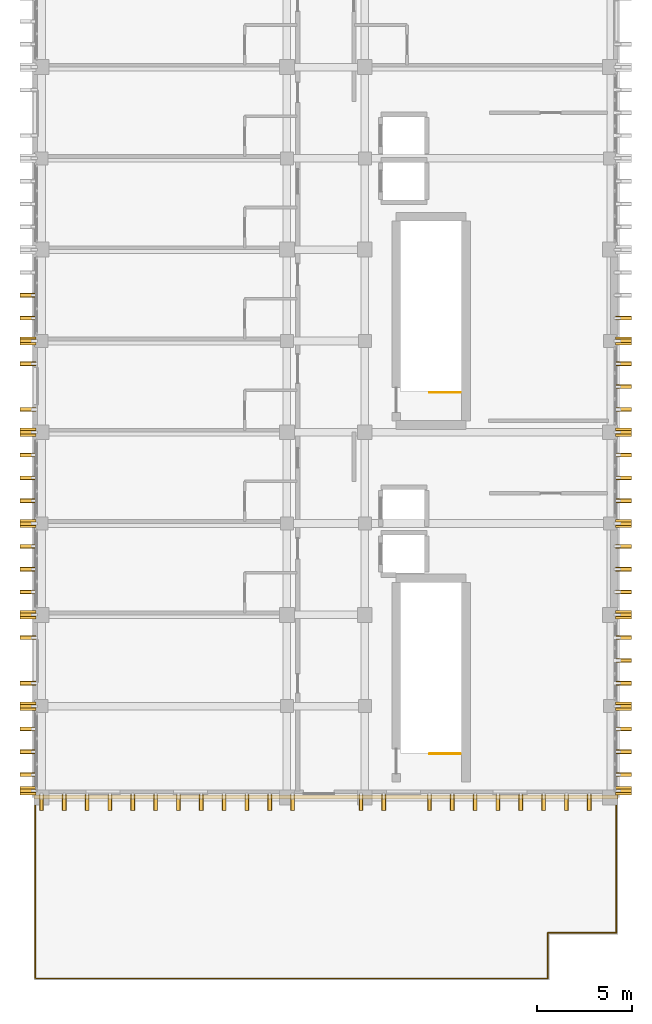
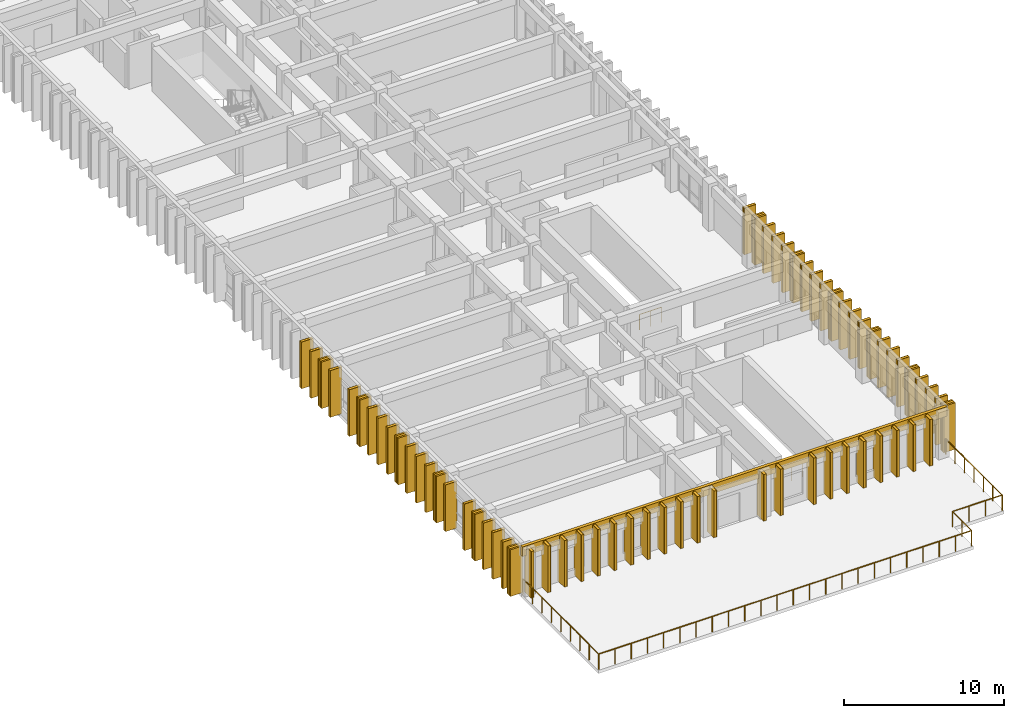
# One storey, part 63 of 68: 66 coverings, 65 shading devices, 3 railings.
"""IFC4 building model written with IfcOpenShell, lengths in metres."""

from ifc_helpers import new_model, si_unit, direction, frame, origin, origin_2d, place, context, subcontext, project, spatial, rectangle, circle, extrude, material, layer, layer_set, type_object, element, save


model = new_model("IFC4")

# Units and contexts
model_context = context("Model", 3, precision=1e-05, world=origin(), true_north=direction((0.0, 1.0)))
body_context = subcontext(model_context, "Body", "Model", "MODEL_VIEW")
ifc_project = project(units=[si_unit("LENGTHUNIT", "METRE"), si_unit("AREAUNIT", "SQUARE_METRE"), si_unit("VOLUMEUNIT", "CUBIC_METRE"), si_unit("PLANEANGLEUNIT", "RADIAN"), si_unit("MASSUNIT", "GRAM", prefix="KILO")], contexts=[model_context])

# Site, building, storey
site_placement = place(None, origin())
site = spatial("IfcSite", under=ifc_project, at=site_placement, CompositionType="ELEMENT")
building_placement = place(site_placement, origin())
building = spatial("IfcBuilding", under=site, at=building_placement, Name="Nakhvara Creek Congress Hotel", CompositionType="ELEMENT")
storey_placement = place(building_placement, frame((0.0, 0.0, 24.60009765625)))
storey = spatial("IfcBuildingStorey", under=building, at=storey_placement, Name="L05", CompositionType="ELEMENT", Elevation=24.60009765625)

# Coverings
ifc_material_1 = material(Name="Honed pale Omani limestone architectural cladding", Category="masonry")
ifc_layer_1 = layer(ifc_material_1, 0.219970703125)
ifc_layer_set_1 = layer_set([ifc_layer_1], Name="Honed pale Omani limestone architectural cladding")
covering_type_1 = type_object("IfcCoveringType", Name="COV-FIN-850", PredefinedType="CLADDING", material=ifc_layer_set_1)
for number, where, z_axis, x_axis, name in (
    (1, (180.054931640625, 29.14990234375, -0.000244140625), (0.0, 0.0, 1.0), (0.0, 1.0, 0.0), "Pale Limestone Fin Cladding CF01-1418"),
    (2, (148.7451171875, 29.14990234375, -0.000244140625), (0.0, 0.0, 1.0), (0.0, 1.0, 0.0), "Pale Limestone Fin Cladding CF01-1419"),
):
    element("IfcCovering", number, at=place(storey_placement, frame(where, z_axis=z_axis, x_axis=x_axis)), inside=storey, type_object=covering_type_1, Name=name, PredefinedType="CLADDING", context=body_context, shape_type="SweptSolid", body=[
        extrude(rectangle(XDim=0.43994140625, YDim=0.85009765625, at=origin_2d()), origin(), (0.0, 0.0, 1.0), 3.56005859375),
    ])
for number, where, z_axis, x_axis, name in (
    (3, (180.054931640625, 30.0, -0.000244140625), (0.0, 0.0, 1.0), (0.0, 1.0, 0.0), "Pale Limestone Fin Cladding CF01-1420"),
    (4, (148.7451171875, 30.0, -0.000244140625), (0.0, 0.0, 1.0), (0.0, 1.0, 0.0), "Pale Limestone Fin Cladding CF01-1421"),
    (5, (180.054931640625, 31.199951171875, -0.000244140625), (0.0, 0.0, 1.0), (0.0, 1.0, 0.0), "Pale Limestone Fin Cladding CF01-1422"),
    (6, (148.7451171875, 31.199951171875, -0.000244140625), (0.0, 0.0, 1.0), (0.0, 1.0, 0.0), "Pale Limestone Fin Cladding CF01-1423"),
    (7, (180.054931640625, 32.39990234375, -0.000244140625), (0.0, 0.0, 1.0), (0.0, 1.0, 0.0), "Pale Limestone Fin Cladding CF01-1424"),
    (8, (148.7451171875, 32.39990234375, -0.000244140625), (0.0, 0.0, 1.0), (0.0, 1.0, 0.0), "Pale Limestone Fin Cladding CF01-1425"),
):
    element("IfcCovering", number, at=place(storey_placement, frame(where, z_axis=z_axis, x_axis=x_axis)), inside=storey, type_object=covering_type_1, Name=name, PredefinedType="CLADDING", context=body_context, shape_type="SweptSolid", body=[
        extrude(rectangle(XDim=0.219970703125, YDim=0.85009765625, at=origin_2d()), origin(), (0.0, 0.0, 1.0), 3.56005859375),
    ])
for number, where, z_axis, x_axis, name in (
    (9, (180.054931640625, 33.60009765625, -0.000244140625), (0.0, 0.0, 1.0), (0.0, 1.0, 0.0), "Pale Limestone Fin Cladding CF01-1426"),
    (10, (148.7451171875, 33.60009765625, -0.000244140625), (0.0, 0.0, 1.0), (0.0, 1.0, 0.0), "Pale Limestone Fin Cladding CF01-1427"),
):
    element("IfcCovering", number, at=place(storey_placement, frame(where, z_axis=z_axis, x_axis=x_axis)), inside=storey, type_object=covering_type_1, Name=name, PredefinedType="CLADDING", context=body_context, shape_type="SweptSolid", body=[
        extrude(rectangle(XDim=0.43994140625, YDim=0.85009765625, at=origin_2d()), origin(), (0.0, 0.0, 1.0), 3.56005859375),
    ])
for number, where, z_axis, x_axis, name in (
    (11, (180.054931640625, 34.800048828125, -0.000244140625), (0.0, 0.0, 1.0), (0.0, 1.0, 0.0), "Pale Limestone Fin Cladding CF01-1428"),
    (12, (148.7451171875, 34.800048828125, -0.000244140625), (0.0, 0.0, 1.0), (0.0, 1.0, 0.0), "Pale Limestone Fin Cladding CF01-1429"),
    (13, (180.054931640625, 36.0, -0.000244140625), (0.0, 0.0, 1.0), (0.0, 1.0, 0.0), "Pale Limestone Fin Cladding CF01-1430"),
    (14, (180.054931640625, 37.199951171875, -0.000244140625), (0.0, 0.0, 1.0), (0.0, 1.0, 0.0), "Pale Limestone Fin Cladding CF01-1431"),
    (15, (148.7451171875, 37.199951171875, -0.000244140625), (0.0, 0.0, 1.0), (0.0, 1.0, 0.0), "Pale Limestone Fin Cladding CF01-1432"),
):
    element("IfcCovering", number, at=place(storey_placement, frame(where, z_axis=z_axis, x_axis=x_axis)), inside=storey, type_object=covering_type_1, Name=name, PredefinedType="CLADDING", context=body_context, shape_type="SweptSolid", body=[
        extrude(rectangle(XDim=0.219970703125, YDim=0.85009765625, at=origin_2d()), origin(), (0.0, 0.0, 1.0), 3.56005859375),
    ])
for number, where, z_axis, x_axis, name in (
    (16, (180.054931640625, 38.39990234375, -0.000244140625), (0.0, 0.0, 1.0), (0.0, 1.0, 0.0), "Pale Limestone Fin Cladding CF01-1433"),
    (17, (148.7451171875, 38.39990234375, -0.000244140625), (0.0, 0.0, 1.0), (0.0, 1.0, 0.0), "Pale Limestone Fin Cladding CF01-1434"),
):
    element("IfcCovering", number, at=place(storey_placement, frame(where, z_axis=z_axis, x_axis=x_axis)), inside=storey, type_object=covering_type_1, Name=name, PredefinedType="CLADDING", context=body_context, shape_type="SweptSolid", body=[
        extrude(rectangle(XDim=0.43994140625, YDim=0.85009765625, at=origin_2d()), origin(), (0.0, 0.0, 1.0), 3.56005859375),
    ])
for number, where, z_axis, x_axis, name in (
    (18, (180.054931640625, 39.60009765625, -0.000244140625), (0.0, 0.0, 1.0), (0.0, 1.0, 0.0), "Pale Limestone Fin Cladding CF01-1435"),
    (19, (148.7451171875, 39.60009765625, -0.000244140625), (0.0, 0.0, 1.0), (0.0, 1.0, 0.0), "Pale Limestone Fin Cladding CF01-1436"),
    (20, (180.054931640625, 40.800048828125, -0.000244140625), (0.0, 0.0, 1.0), (0.0, 1.0, 0.0), "Pale Limestone Fin Cladding CF01-1437"),
    (21, (148.7451171875, 40.800048828125, -0.000244140625), (0.0, 0.0, 1.0), (0.0, 1.0, 0.0), "Pale Limestone Fin Cladding CF01-1438"),
    (22, (180.054931640625, 42.0, -0.000244140625), (0.0, 0.0, 1.0), (0.0, 1.0, 0.0), "Pale Limestone Fin Cladding CF01-1439"),
    (23, (148.7451171875, 42.0, -0.000244140625), (0.0, 0.0, 1.0), (0.0, 1.0, 0.0), "Pale Limestone Fin Cladding CF01-1440"),
):
    element("IfcCovering", number, at=place(storey_placement, frame(where, z_axis=z_axis, x_axis=x_axis)), inside=storey, type_object=covering_type_1, Name=name, PredefinedType="CLADDING", context=body_context, shape_type="SweptSolid", body=[
        extrude(rectangle(XDim=0.219970703125, YDim=0.85009765625, at=origin_2d()), origin(), (0.0, 0.0, 1.0), 3.56005859375),
    ])
for number, where, z_axis, x_axis, name in (
    (24, (180.054931640625, 43.199951171875, -0.000244140625), (0.0, 0.0, 1.0), (0.0, 1.0, 0.0), "Pale Limestone Fin Cladding CF01-1441"),
    (25, (148.7451171875, 43.199951171875, -0.000244140625), (0.0, 0.0, 1.0), (0.0, 1.0, 0.0), "Pale Limestone Fin Cladding CF01-1442"),
):
    element("IfcCovering", number, at=place(storey_placement, frame(where, z_axis=z_axis, x_axis=x_axis)), inside=storey, type_object=covering_type_1, Name=name, PredefinedType="CLADDING", context=body_context, shape_type="SweptSolid", body=[
        extrude(rectangle(XDim=0.43994140625, YDim=0.85009765625, at=origin_2d()), origin(), (0.0, 0.0, 1.0), 3.56005859375),
    ])
for number, where, z_axis, x_axis, name in (
    (26, (180.054931640625, 44.39990234375, -0.000244140625), (0.0, 0.0, 1.0), (0.0, 1.0, 0.0), "Pale Limestone Fin Cladding CF01-1443"),
    (27, (148.7451171875, 44.39990234375, -0.000244140625), (0.0, 0.0, 1.0), (0.0, 1.0, 0.0), "Pale Limestone Fin Cladding CF01-1444"),
    (28, (180.054931640625, 45.60009765625, -0.000244140625), (0.0, 0.0, 1.0), (0.0, 1.0, 0.0), "Pale Limestone Fin Cladding CF01-1445"),
    (29, (148.7451171875, 45.60009765625, -0.000244140625), (0.0, 0.0, 1.0), (0.0, 1.0, 0.0), "Pale Limestone Fin Cladding CF01-1446"),
    (30, (180.054931640625, 46.800048828125, -0.000244140625), (0.0, 0.0, 1.0), (0.0, 1.0, 0.0), "Pale Limestone Fin Cladding CF01-1447"),
    (31, (148.7451171875, 46.800048828125, -0.000244140625), (0.0, 0.0, 1.0), (0.0, 1.0, 0.0), "Pale Limestone Fin Cladding CF01-1448"),
):
    element("IfcCovering", number, at=place(storey_placement, frame(where, z_axis=z_axis, x_axis=x_axis)), inside=storey, type_object=covering_type_1, Name=name, PredefinedType="CLADDING", context=body_context, shape_type="SweptSolid", body=[
        extrude(rectangle(XDim=0.219970703125, YDim=0.85009765625, at=origin_2d()), origin(), (0.0, 0.0, 1.0), 3.56005859375),
    ])
for number, where, z_axis, x_axis, name in (
    (32, (180.054931640625, 48.0, -0.000244140625), (0.0, 0.0, 1.0), (0.0, 1.0, 0.0), "Pale Limestone Fin Cladding CF01-1449"),
    (33, (148.7451171875, 48.0, -0.000244140625), (0.0, 0.0, 1.0), (0.0, 1.0, 0.0), "Pale Limestone Fin Cladding CF01-1450"),
):
    element("IfcCovering", number, at=place(storey_placement, frame(where, z_axis=z_axis, x_axis=x_axis)), inside=storey, type_object=covering_type_1, Name=name, PredefinedType="CLADDING", context=body_context, shape_type="SweptSolid", body=[
        extrude(rectangle(XDim=0.43994140625, YDim=0.85009765625, at=origin_2d()), origin(), (0.0, 0.0, 1.0), 3.56005859375),
    ])
for number, where, z_axis, x_axis, name in (
    (34, (180.054931640625, 49.199951171875, -0.000244140625), (0.0, 0.0, 1.0), (0.0, 1.0, 0.0), "Pale Limestone Fin Cladding CF01-1451"),
    (35, (148.7451171875, 49.199951171875, -0.000244140625), (0.0, 0.0, 1.0), (0.0, 1.0, 0.0), "Pale Limestone Fin Cladding CF01-1452"),
    (36, (180.054931640625, 50.39990234375, -0.000244140625), (0.0, 0.0, 1.0), (0.0, 1.0, 0.0), "Pale Limestone Fin Cladding CF01-1453"),
    (37, (180.054931640625, 51.60009765625, -0.000244140625), (0.0, 0.0, 1.0), (0.0, 1.0, 0.0), "Pale Limestone Fin Cladding CF01-1454"),
    (38, (148.7451171875, 51.60009765625, -0.000244140625), (0.0, 0.0, 1.0), (0.0, 1.0, 0.0), "Pale Limestone Fin Cladding CF01-1455"),
):
    element("IfcCovering", number, at=place(storey_placement, frame(where, z_axis=z_axis, x_axis=x_axis)), inside=storey, type_object=covering_type_1, Name=name, PredefinedType="CLADDING", context=body_context, shape_type="SweptSolid", body=[
        extrude(rectangle(XDim=0.219970703125, YDim=0.85009765625, at=origin_2d()), origin(), (0.0, 0.0, 1.0), 3.56005859375),
    ])
for number, where, z_axis, x_axis, name in (
    (39, (180.054931640625, 52.800048828125, -0.000244140625), (0.0, 0.0, 1.0), (0.0, 1.0, 0.0), "Pale Limestone Fin Cladding CF01-1456"),
    (40, (148.7451171875, 52.800048828125, -0.000244140625), (0.0, 0.0, 1.0), (0.0, 1.0, 0.0), "Pale Limestone Fin Cladding CF01-1457"),
):
    element("IfcCovering", number, at=place(storey_placement, frame(where, z_axis=z_axis, x_axis=x_axis)), inside=storey, type_object=covering_type_1, Name=name, PredefinedType="CLADDING", context=body_context, shape_type="SweptSolid", body=[
        extrude(rectangle(XDim=0.43994140625, YDim=0.85009765625, at=origin_2d()), origin(), (0.0, 0.0, 1.0), 3.56005859375),
    ])
for number, where, z_axis, x_axis, name in (
    (41, (180.054931640625, 54.0, -0.000244140625), (0.0, 0.0, 1.0), (0.0, 1.0, 0.0), "Pale Limestone Fin Cladding CF01-1458"),
    (42, (148.7451171875, 54.0, -0.000244140625), (0.0, 0.0, 1.0), (0.0, 1.0, 0.0), "Pale Limestone Fin Cladding CF01-1459"),
    (43, (148.7451171875, 55.199951171875, -0.000244140625), (0.0, 0.0, 1.0), (0.0, 1.0, 0.0), "Pale Limestone Fin Cladding CF01-1461"),
    (44, (149.449951171875, 28.534912109375, -0.000244140625), (0.0, 0.0, 1.0), (1.0, 0.0, 0.0), "Pale Limestone Fin Cladding CF01-1576"),
    (45, (150.64990234375, 28.534912109375, -0.000244140625), (0.0, 0.0, 1.0), (1.0, 0.0, 0.0), "Pale Limestone Fin Cladding CF01-1578"),
    (46, (151.85009765625, 28.534912109375, -0.000244140625), (0.0, 0.0, 1.0), (1.0, 0.0, 0.0), "Pale Limestone Fin Cladding CF01-1580"),
    (47, (153.050048828125, 28.534912109375, -0.000244140625), (0.0, 0.0, 1.0), (1.0, 0.0, 0.0), "Pale Limestone Fin Cladding CF01-1582"),
    (48, (154.25, 28.534912109375, -0.000244140625), (0.0, 0.0, 1.0), (1.0, 0.0, 0.0), "Pale Limestone Fin Cladding CF01-1583"),
    (49, (155.449951171875, 28.534912109375, -0.000244140625), (0.0, 0.0, 1.0), (1.0, 0.0, 0.0), "Pale Limestone Fin Cladding CF01-1585"),
    (50, (156.64990234375, 28.534912109375, -0.000244140625), (0.0, 0.0, 1.0), (1.0, 0.0, 0.0), "Pale Limestone Fin Cladding CF01-1587"),
    (51, (157.85009765625, 28.534912109375, -0.000244140625), (0.0, 0.0, 1.0), (1.0, 0.0, 0.0), "Pale Limestone Fin Cladding CF01-1589"),
    (52, (159.050048828125, 28.534912109375, -0.000244140625), (0.0, 0.0, 1.0), (1.0, 0.0, 0.0), "Pale Limestone Fin Cladding CF01-1591"),
    (53, (160.25, 28.534912109375, -0.000244140625), (0.0, 0.0, 1.0), (1.0, 0.0, 0.0), "Pale Limestone Fin Cladding CF01-1593"),
    (54, (161.449951171875, 28.534912109375, -0.000244140625), (0.0, 0.0, 1.0), (1.0, 0.0, 0.0), "Pale Limestone Fin Cladding CF01-1595"),
    (55, (162.64990234375, 28.534912109375, -0.000244140625), (0.0, 0.0, 1.0), (1.0, 0.0, 0.0), "Pale Limestone Fin Cladding CF01-1597"),
    (56, (166.25, 28.534912109375, -0.000244140625), (0.0, 0.0, 1.0), (1.0, 0.0, 0.0), "Pale Limestone Fin Cladding CF01-1601"),
    (57, (167.449951171875, 28.534912109375, -0.000244140625), (0.0, 0.0, 1.0), (1.0, 0.0, 0.0), "Pale Limestone Fin Cladding CF01-1603"),
    (58, (169.85009765625, 28.534912109375, -0.000244140625), (0.0, 0.0, 1.0), (1.0, 0.0, 0.0), "Pale Limestone Fin Cladding CF01-1606"),
    (59, (171.050048828125, 28.534912109375, -0.000244140625), (0.0, 0.0, 1.0), (1.0, 0.0, 0.0), "Pale Limestone Fin Cladding CF01-1608"),
    (60, (172.25, 28.534912109375, -0.000244140625), (0.0, 0.0, 1.0), (1.0, 0.0, 0.0), "Pale Limestone Fin Cladding CF01-1610"),
    (61, (173.449951171875, 28.534912109375, -0.000244140625), (0.0, 0.0, 1.0), (1.0, 0.0, 0.0), "Pale Limestone Fin Cladding CF01-1612"),
    (62, (174.64990234375, 28.534912109375, -0.000244140625), (0.0, 0.0, 1.0), (1.0, 0.0, 0.0), "Pale Limestone Fin Cladding CF01-1614"),
    (63, (175.85009765625, 28.534912109375, -0.000244140625), (0.0, 0.0, 1.0), (1.0, 0.0, 0.0), "Pale Limestone Fin Cladding CF01-1615"),
    (64, (177.050048828125, 28.534912109375, -0.000244140625), (0.0, 0.0, 1.0), (1.0, 0.0, 0.0), "Pale Limestone Fin Cladding CF01-1617"),
    (65, (178.25, 28.534912109375, -0.000244140625), (0.0, 0.0, 1.0), (1.0, 0.0, 0.0), "Pale Limestone Fin Cladding CF01-1619"),
):
    element("IfcCovering", number, at=place(storey_placement, frame(where, z_axis=z_axis, x_axis=x_axis)), inside=storey, type_object=covering_type_1, Name=name, PredefinedType="CLADDING", context=body_context, shape_type="SweptSolid", body=[
        extrude(rectangle(XDim=0.219970703125, YDim=0.85009765625, at=origin_2d()), origin(), (0.0, 0.0, 1.0), 3.56005859375),
    ])
ifc_layer_2 = layer(ifc_material_1, 0.179931640625)
ifc_layer_set_2 = layer_set([ifc_layer_2], Name="Honed pale Omani limestone architectural cladding")
covering_type_2 = type_object("IfcCoveringType", Name="COV-SPN-180", PredefinedType="CLADDING", material=ifc_layer_set_2)
covering_placement = place(storey_placement, frame((164.39990234375, 28.830078125, 2.909912109375), z_axis=(0.0, 0.0, 1.0), x_axis=(1.0, 0.0, 0.0)))
element("IfcCovering", 66, at=covering_placement, inside=storey, type_object=covering_type_2, Name="Pale Limestone Spandrel Band CF02-0064", PredefinedType="CLADDING", context=body_context, shape_type="SweptSolid", body=[
    extrude(rectangle(XDim=30.699951171875, YDim=0.219970703125, at=origin_2d()), origin(), (0.0, 0.0, 1.0), 0.72998046875),
])

# Railings
ifc_material_2 = material(Name="Bronze-anodised aluminium and laminated safety glass balustrade", Category="aluminium")
railing_type_1 = type_object("IfcRailingType", Name="RL-BALUS-1200", PredefinedType="BALUSTRADE", material=ifc_material_2)
railing_placement = place(storey_placement, frame((149.1298828125, 28.760009765625, 0.0)))
element("IfcRailing", 67, at=railing_placement, inside=storey, type_object=railing_type_1, Name="Terrace Balustrade GR02-L05-003", PredefinedType="BALUSTRADE", context=body_context, shape_type="SweptSolid", body=[
    extrude(circle(Radius=0.02392578125, at=origin_2d()), frame((0.0, -0.0146484375, 1.17578125), z_axis=(0.0, -1.0, 0.0), x_axis=(1.0, 0.0, 0.0)), (0.0, 0.0, 1.0), 9.45068359375),
    extrude(circle(Radius=0.02392578125, at=origin_2d()), frame((0.0146484375, -9.47998046875, 1.17578125), z_axis=(1.0, 0.0, 0.0), x_axis=(0.0, 1.0, 0.0)), (0.0, 0.0, 1.0), 26.910888671875),
    extrude(circle(Radius=0.02392578125, at=origin_2d()), frame((26.940185546875, -9.46533203125, 1.17578125), z_axis=(0.0, 1.0, 0.0), x_axis=(-1.0, 0.0, 0.0)), (0.0, 0.0, 1.0), 2.37060546875),
    extrude(circle(Radius=0.02392578125, at=origin_2d()), frame((26.954833984375, -7.080078125, 1.17578125), z_axis=(1.0, 0.0, 0.0), x_axis=(0.0, 1.0, 0.0)), (0.0, 0.0, 1.0), 3.570556640625),
    extrude(circle(Radius=0.02392578125, at=origin_2d()), frame((30.5400390625, -7.0654296875, 1.17578125), z_axis=(0.0, 1.0, 0.0), x_axis=(-1.0, 0.0, 0.0)), (0.0, 0.0, 1.0), 7.05078125),
    extrude(circle(Radius=0.02099609375, at=origin_2d()), origin(), (0.0, 0.0, 1.0), 1.1806640625),
    extrude(circle(Radius=0.02099609375, at=origin_2d()), frame((0.0, -1.18505859375, 0.0)), (0.0, 0.0, 1.0), 1.1806640625),
    extrude(circle(Radius=0.02099609375, at=origin_2d()), frame((0.0, -2.3701171875, 0.0)), (0.0, 0.0, 1.0), 1.1806640625),
    extrude(circle(Radius=0.02099609375, at=origin_2d()), frame((0.0, -3.554931640625, 0.0)), (0.0, 0.0, 1.0), 1.1806640625),
    extrude(circle(Radius=0.02099609375, at=origin_2d()), frame((0.0, -4.739990234375, 0.0)), (0.0, 0.0, 1.0), 1.1806640625),
    extrude(circle(Radius=0.02099609375, at=origin_2d()), frame((0.0, -5.925048828125, 0.0)), (0.0, 0.0, 1.0), 1.1806640625),
    extrude(circle(Radius=0.02099609375, at=origin_2d()), frame((0.0, -7.10986328125, 0.0)), (0.0, 0.0, 1.0), 1.1806640625),
    extrude(circle(Radius=0.02099609375, at=origin_2d()), frame((0.0, -8.294921875, 0.0)), (0.0, 0.0, 1.0), 1.1806640625),
    extrude(circle(Radius=0.02099609375, at=origin_2d()), frame((0.0, -9.47998046875, 0.0)), (0.0, 0.0, 1.0), 1.1806640625),
    extrude(circle(Radius=0.02099609375, at=origin_2d()), frame((1.17138671875, -9.47998046875, 0.0)), (0.0, 0.0, 1.0), 1.1806640625),
    extrude(circle(Radius=0.02099609375, at=origin_2d()), frame((2.342529296875, -9.47998046875, 0.0)), (0.0, 0.0, 1.0), 1.1806640625),
    extrude(circle(Radius=0.02099609375, at=origin_2d()), frame((3.513916015625, -9.47998046875, 0.0)), (0.0, 0.0, 1.0), 1.1806640625),
    extrude(circle(Radius=0.02099609375, at=origin_2d()), frame((4.685302734375, -9.47998046875, 0.0)), (0.0, 0.0, 1.0), 1.1806640625),
    extrude(circle(Radius=0.02099609375, at=origin_2d()), frame((5.8564453125, -9.47998046875, 0.0)), (0.0, 0.0, 1.0), 1.1806640625),
    extrude(circle(Radius=0.02099609375, at=origin_2d()), frame((7.02783203125, -9.47998046875, 0.0)), (0.0, 0.0, 1.0), 1.1806640625),
    extrude(circle(Radius=0.02099609375, at=origin_2d()), frame((8.19921875, -9.47998046875, 0.0)), (0.0, 0.0, 1.0), 1.1806640625),
    extrude(circle(Radius=0.02099609375, at=origin_2d()), frame((9.37060546875, -9.47998046875, 0.0)), (0.0, 0.0, 1.0), 1.1806640625),
    extrude(circle(Radius=0.02099609375, at=origin_2d()), frame((10.541748046875, -9.47998046875, 0.0)), (0.0, 0.0, 1.0), 1.1806640625),
    extrude(circle(Radius=0.02099609375, at=origin_2d()), frame((11.713134765625, -9.47998046875, 0.0)), (0.0, 0.0, 1.0), 1.1806640625),
    extrude(circle(Radius=0.02099609375, at=origin_2d()), frame((12.884521484375, -9.47998046875, 0.0)), (0.0, 0.0, 1.0), 1.1806640625),
    extrude(circle(Radius=0.02099609375, at=origin_2d()), frame((14.0556640625, -9.47998046875, 0.0)), (0.0, 0.0, 1.0), 1.1806640625),
    extrude(circle(Radius=0.02099609375, at=origin_2d()), frame((15.22705078125, -9.47998046875, 0.0)), (0.0, 0.0, 1.0), 1.1806640625),
    extrude(circle(Radius=0.02099609375, at=origin_2d()), frame((16.3984375, -9.47998046875, 0.0)), (0.0, 0.0, 1.0), 1.1806640625),
    extrude(circle(Radius=0.02099609375, at=origin_2d()), frame((17.569580078125, -9.47998046875, 0.0)), (0.0, 0.0, 1.0), 1.1806640625),
    extrude(circle(Radius=0.02099609375, at=origin_2d()), frame((18.740966796875, -9.47998046875, 0.0)), (0.0, 0.0, 1.0), 1.1806640625),
    extrude(circle(Radius=0.02099609375, at=origin_2d()), frame((19.912353515625, -9.47998046875, 0.0)), (0.0, 0.0, 1.0), 1.1806640625),
    extrude(circle(Radius=0.02099609375, at=origin_2d()), frame((21.083740234375, -9.47998046875, 0.0)), (0.0, 0.0, 1.0), 1.1806640625),
    extrude(circle(Radius=0.02099609375, at=origin_2d()), frame((22.2548828125, -9.47998046875, 0.0)), (0.0, 0.0, 1.0), 1.1806640625),
    extrude(circle(Radius=0.02099609375, at=origin_2d()), frame((23.42626953125, -9.47998046875, 0.0)), (0.0, 0.0, 1.0), 1.1806640625),
    extrude(circle(Radius=0.02099609375, at=origin_2d()), frame((24.59765625, -9.47998046875, 0.0)), (0.0, 0.0, 1.0), 1.1806640625),
    extrude(circle(Radius=0.02099609375, at=origin_2d()), frame((25.768798828125, -9.47998046875, 0.0)), (0.0, 0.0, 1.0), 1.1806640625),
    extrude(circle(Radius=0.02099609375, at=origin_2d()), frame((26.940185546875, -9.47998046875, 0.0)), (0.0, 0.0, 1.0), 1.1806640625),
    extrude(circle(Radius=0.02099609375, at=origin_2d()), frame((26.940185546875, -8.280029296875, 0.0)), (0.0, 0.0, 1.0), 1.1806640625),
    extrude(circle(Radius=0.02099609375, at=origin_2d()), frame((26.940185546875, -7.080078125, 0.0)), (0.0, 0.0, 1.0), 1.1806640625),
    extrude(circle(Radius=0.02099609375, at=origin_2d()), frame((28.14013671875, -7.080078125, 0.0)), (0.0, 0.0, 1.0), 1.1806640625),
    extrude(circle(Radius=0.02099609375, at=origin_2d()), frame((29.340087890625, -7.080078125, 0.0)), (0.0, 0.0, 1.0), 1.1806640625),
    extrude(circle(Radius=0.02099609375, at=origin_2d()), frame((30.5400390625, -7.080078125, 0.0)), (0.0, 0.0, 1.0), 1.1806640625),
    extrude(circle(Radius=0.02099609375, at=origin_2d()), frame((30.5400390625, -5.900146484375, 0.0)), (0.0, 0.0, 1.0), 1.1806640625),
    extrude(circle(Radius=0.02099609375, at=origin_2d()), frame((30.5400390625, -4.719970703125, 0.0)), (0.0, 0.0, 1.0), 1.1806640625),
    extrude(circle(Radius=0.02099609375, at=origin_2d()), frame((30.5400390625, -3.5400390625, 0.0)), (0.0, 0.0, 1.0), 1.1806640625),
    extrude(circle(Radius=0.02099609375, at=origin_2d()), frame((30.5400390625, -2.360107421875, 0.0)), (0.0, 0.0, 1.0), 1.1806640625),
    extrude(circle(Radius=0.02099609375, at=origin_2d()), frame((30.5400390625, -1.179931640625, 0.0)), (0.0, 0.0, 1.0), 1.1806640625),
    extrude(circle(Radius=0.02099609375, at=origin_2d()), frame((30.5400390625, 0.0, 0.0)), (0.0, 0.0, 1.0), 1.1806640625),
])
ifc_material_3 = material(Name="Brushed stainless steel 316L", Category="steel")
railing_type_2 = type_object("IfcRailingType", Name="RL-GUARD-1200", PredefinedType="GUARDRAIL", material=ifc_material_3)
for number, where, name in (
    (68, (171.4599609375, 31.090087890625, 0.0), "L05 ST03 top well guard 1"),
    (69, (171.4599609375, 50.090087890625, 0.0), "L05 ST04 top well guard 1"),
):
    element("IfcRailing", number, at=place(storey_placement, frame(where)), inside=storey, type_object=railing_type_2, Name=name, PredefinedType="GUARDRAIL", context=body_context, shape_type="SweptSolid", body=[
        extrude(circle(Radius=0.02392578125, at=origin_2d()), frame((-0.0146484375, 0.0, 1.17578125), z_axis=(-1.0, 0.0, 0.0), x_axis=(0.0, -1.0, 0.0)), (0.0, 0.0, 1.0), 1.570556640625),
        extrude(circle(Radius=0.02099609375, at=origin_2d()), origin(), (0.0, 0.0, 1.0), 1.1806640625),
        extrude(circle(Radius=0.02099609375, at=origin_2d()), frame((-0.7998046875, 0.0, 0.0)), (0.0, 0.0, 1.0), 1.1806640625),
        extrude(circle(Radius=0.02099609375, at=origin_2d()), frame((-1.599853515625, 0.0, 0.0)), (0.0, 0.0, 1.0), 1.1806640625),
    ])

# Shading devices
ifc_material_4 = material(Name="Honed pale Omani limestone cladding on stainless steel spine", Category="masonry")
shading_device_type = type_object("IfcShadingDeviceType", Name="SHD-FIN-850X3600", PredefinedType="USERDEFINED", material=ifc_material_4)
for number, where, z_axis, x_axis, name in (
    (70, (180.054931640625, 29.14990234375, -0.000244140625), (0.0, 0.0, 1.0), (0.0, 1.0, 0.0), "Limestone Solar Fin FN01-1283"),
    (71, (148.7451171875, 29.14990234375, -0.000244140625), (0.0, 0.0, 1.0), (0.0, 1.0, 0.0), "Limestone Solar Fin FN01-1284"),
    (72, (180.054931640625, 30.0, -0.000244140625), (0.0, 0.0, 1.0), (0.0, 1.0, 0.0), "Limestone Solar Fin FN01-1285"),
    (73, (148.7451171875, 30.0, -0.000244140625), (0.0, 0.0, 1.0), (0.0, 1.0, 0.0), "Limestone Solar Fin FN01-1286"),
    (74, (180.054931640625, 31.199951171875, -0.000244140625), (0.0, 0.0, 1.0), (0.0, 1.0, 0.0), "Limestone Solar Fin FN01-1287"),
    (75, (148.7451171875, 31.199951171875, -0.000244140625), (0.0, 0.0, 1.0), (0.0, 1.0, 0.0), "Limestone Solar Fin FN01-1288"),
    (76, (180.054931640625, 32.39990234375, -0.000244140625), (0.0, 0.0, 1.0), (0.0, 1.0, 0.0), "Limestone Solar Fin FN01-1289"),
    (77, (148.7451171875, 32.39990234375, -0.000244140625), (0.0, 0.0, 1.0), (0.0, 1.0, 0.0), "Limestone Solar Fin FN01-1290"),
    (78, (180.054931640625, 33.60009765625, -0.000244140625), (0.0, 0.0, 1.0), (0.0, 1.0, 0.0), "Limestone Solar Fin FN01-1291"),
    (79, (148.7451171875, 33.60009765625, -0.000244140625), (0.0, 0.0, 1.0), (0.0, 1.0, 0.0), "Limestone Solar Fin FN01-1292"),
    (80, (180.054931640625, 34.800048828125, -0.000244140625), (0.0, 0.0, 1.0), (0.0, 1.0, 0.0), "Limestone Solar Fin FN01-1293"),
    (81, (148.7451171875, 34.800048828125, -0.000244140625), (0.0, 0.0, 1.0), (0.0, 1.0, 0.0), "Limestone Solar Fin FN01-1294"),
    (82, (180.054931640625, 36.0, -0.000244140625), (0.0, 0.0, 1.0), (0.0, 1.0, 0.0), "Limestone Solar Fin FN01-1295"),
    (83, (180.054931640625, 37.199951171875, -0.000244140625), (0.0, 0.0, 1.0), (0.0, 1.0, 0.0), "Limestone Solar Fin FN01-1296"),
    (84, (148.7451171875, 37.199951171875, -0.000244140625), (0.0, 0.0, 1.0), (0.0, 1.0, 0.0), "Limestone Solar Fin FN01-1297"),
    (85, (180.054931640625, 38.39990234375, -0.000244140625), (0.0, 0.0, 1.0), (0.0, 1.0, 0.0), "Limestone Solar Fin FN01-1298"),
    (86, (148.7451171875, 38.39990234375, -0.000244140625), (0.0, 0.0, 1.0), (0.0, 1.0, 0.0), "Limestone Solar Fin FN01-1299"),
    (87, (180.054931640625, 39.60009765625, -0.000244140625), (0.0, 0.0, 1.0), (0.0, 1.0, 0.0), "Limestone Solar Fin FN01-1300"),
    (88, (148.7451171875, 39.60009765625, -0.000244140625), (0.0, 0.0, 1.0), (0.0, 1.0, 0.0), "Limestone Solar Fin FN01-1301"),
    (89, (180.054931640625, 40.800048828125, -0.000244140625), (0.0, 0.0, 1.0), (0.0, 1.0, 0.0), "Limestone Solar Fin FN01-1302"),
    (90, (148.7451171875, 40.800048828125, -0.000244140625), (0.0, 0.0, 1.0), (0.0, 1.0, 0.0), "Limestone Solar Fin FN01-1303"),
    (91, (180.054931640625, 42.0, -0.000244140625), (0.0, 0.0, 1.0), (0.0, 1.0, 0.0), "Limestone Solar Fin FN01-1304"),
    (92, (148.7451171875, 42.0, -0.000244140625), (0.0, 0.0, 1.0), (0.0, 1.0, 0.0), "Limestone Solar Fin FN01-1305"),
    (93, (180.054931640625, 43.199951171875, -0.000244140625), (0.0, 0.0, 1.0), (0.0, 1.0, 0.0), "Limestone Solar Fin FN01-1306"),
    (94, (148.7451171875, 43.199951171875, -0.000244140625), (0.0, 0.0, 1.0), (0.0, 1.0, 0.0), "Limestone Solar Fin FN01-1307"),
    (95, (180.054931640625, 44.39990234375, -0.000244140625), (0.0, 0.0, 1.0), (0.0, 1.0, 0.0), "Limestone Solar Fin FN01-1308"),
    (96, (148.7451171875, 44.39990234375, -0.000244140625), (0.0, 0.0, 1.0), (0.0, 1.0, 0.0), "Limestone Solar Fin FN01-1309"),
    (97, (180.054931640625, 45.60009765625, -0.000244140625), (0.0, 0.0, 1.0), (0.0, 1.0, 0.0), "Limestone Solar Fin FN01-1310"),
    (98, (148.7451171875, 45.60009765625, -0.000244140625), (0.0, 0.0, 1.0), (0.0, 1.0, 0.0), "Limestone Solar Fin FN01-1311"),
    (99, (180.054931640625, 46.800048828125, -0.000244140625), (0.0, 0.0, 1.0), (0.0, 1.0, 0.0), "Limestone Solar Fin FN01-1312"),
    (100, (148.7451171875, 46.800048828125, -0.000244140625), (0.0, 0.0, 1.0), (0.0, 1.0, 0.0), "Limestone Solar Fin FN01-1313"),
    (101, (180.054931640625, 48.0, -0.000244140625), (0.0, 0.0, 1.0), (0.0, 1.0, 0.0), "Limestone Solar Fin FN01-1314"),
    (102, (148.7451171875, 48.0, -0.000244140625), (0.0, 0.0, 1.0), (0.0, 1.0, 0.0), "Limestone Solar Fin FN01-1315"),
    (103, (180.054931640625, 49.199951171875, -0.000244140625), (0.0, 0.0, 1.0), (0.0, 1.0, 0.0), "Limestone Solar Fin FN01-1316"),
    (104, (148.7451171875, 49.199951171875, -0.000244140625), (0.0, 0.0, 1.0), (0.0, 1.0, 0.0), "Limestone Solar Fin FN01-1317"),
    (105, (180.054931640625, 50.39990234375, -0.000244140625), (0.0, 0.0, 1.0), (0.0, 1.0, 0.0), "Limestone Solar Fin FN01-1318"),
    (106, (180.054931640625, 51.60009765625, -0.000244140625), (0.0, 0.0, 1.0), (0.0, 1.0, 0.0), "Limestone Solar Fin FN01-1319"),
    (107, (148.7451171875, 51.60009765625, -0.000244140625), (0.0, 0.0, 1.0), (0.0, 1.0, 0.0), "Limestone Solar Fin FN01-1320"),
    (108, (180.054931640625, 52.800048828125, -0.000244140625), (0.0, 0.0, 1.0), (0.0, 1.0, 0.0), "Limestone Solar Fin FN01-1321"),
    (109, (148.7451171875, 52.800048828125, -0.000244140625), (0.0, 0.0, 1.0), (0.0, 1.0, 0.0), "Limestone Solar Fin FN01-1322"),
    (110, (180.054931640625, 54.0, -0.000244140625), (0.0, 0.0, 1.0), (0.0, 1.0, 0.0), "Limestone Solar Fin FN01-1323"),
    (111, (148.7451171875, 54.0, -0.000244140625), (0.0, 0.0, 1.0), (0.0, 1.0, 0.0), "Limestone Solar Fin FN01-1324"),
    (112, (148.7451171875, 55.199951171875, -0.000244140625), (0.0, 0.0, 1.0), (0.0, 1.0, 0.0), "Limestone Solar Fin FN01-1326"),
    (113, (149.449951171875, 28.534912109375, -0.000244140625), (0.0, 0.0, 1.0), (1.0, 0.0, 0.0), "Limestone Solar Fin FN01-1441"),
    (114, (150.64990234375, 28.534912109375, -0.000244140625), (0.0, 0.0, 1.0), (1.0, 0.0, 0.0), "Limestone Solar Fin FN01-1443"),
    (115, (151.85009765625, 28.534912109375, -0.000244140625), (0.0, 0.0, 1.0), (1.0, 0.0, 0.0), "Limestone Solar Fin FN01-1445"),
    (116, (153.050048828125, 28.534912109375, -0.000244140625), (0.0, 0.0, 1.0), (1.0, 0.0, 0.0), "Limestone Solar Fin FN01-1447"),
    (117, (154.25, 28.534912109375, -0.000244140625), (0.0, 0.0, 1.0), (1.0, 0.0, 0.0), "Limestone Solar Fin FN01-1448"),
    (118, (155.449951171875, 28.534912109375, -0.000244140625), (0.0, 0.0, 1.0), (1.0, 0.0, 0.0), "Limestone Solar Fin FN01-1450"),
    (119, (156.64990234375, 28.534912109375, -0.000244140625), (0.0, 0.0, 1.0), (1.0, 0.0, 0.0), "Limestone Solar Fin FN01-1452"),
    (120, (157.85009765625, 28.534912109375, -0.000244140625), (0.0, 0.0, 1.0), (1.0, 0.0, 0.0), "Limestone Solar Fin FN01-1454"),
    (121, (159.050048828125, 28.534912109375, -0.000244140625), (0.0, 0.0, 1.0), (1.0, 0.0, 0.0), "Limestone Solar Fin FN01-1456"),
    (122, (160.25, 28.534912109375, -0.000244140625), (0.0, 0.0, 1.0), (1.0, 0.0, 0.0), "Limestone Solar Fin FN01-1458"),
    (123, (161.449951171875, 28.534912109375, -0.000244140625), (0.0, 0.0, 1.0), (1.0, 0.0, 0.0), "Limestone Solar Fin FN01-1460"),
    (124, (162.64990234375, 28.534912109375, -0.000244140625), (0.0, 0.0, 1.0), (1.0, 0.0, 0.0), "Limestone Solar Fin FN01-1462"),
    (125, (166.25, 28.534912109375, -0.000244140625), (0.0, 0.0, 1.0), (1.0, 0.0, 0.0), "Limestone Solar Fin FN01-1466"),
    (126, (167.449951171875, 28.534912109375, -0.000244140625), (0.0, 0.0, 1.0), (1.0, 0.0, 0.0), "Limestone Solar Fin FN01-1468"),
    (127, (169.85009765625, 28.534912109375, -0.000244140625), (0.0, 0.0, 1.0), (1.0, 0.0, 0.0), "Limestone Solar Fin FN01-1471"),
    (128, (171.050048828125, 28.534912109375, -0.000244140625), (0.0, 0.0, 1.0), (1.0, 0.0, 0.0), "Limestone Solar Fin FN01-1473"),
    (129, (172.25, 28.534912109375, -0.000244140625), (0.0, 0.0, 1.0), (1.0, 0.0, 0.0), "Limestone Solar Fin FN01-1475"),
    (130, (173.449951171875, 28.534912109375, -0.000244140625), (0.0, 0.0, 1.0), (1.0, 0.0, 0.0), "Limestone Solar Fin FN01-1477"),
    (131, (174.64990234375, 28.534912109375, -0.000244140625), (0.0, 0.0, 1.0), (1.0, 0.0, 0.0), "Limestone Solar Fin FN01-1479"),
    (132, (175.85009765625, 28.534912109375, -0.000244140625), (0.0, 0.0, 1.0), (1.0, 0.0, 0.0), "Limestone Solar Fin FN01-1480"),
    (133, (177.050048828125, 28.534912109375, -0.000244140625), (0.0, 0.0, 1.0), (1.0, 0.0, 0.0), "Limestone Solar Fin FN01-1482"),
    (134, (178.25, 28.534912109375, -0.000244140625), (0.0, 0.0, 1.0), (1.0, 0.0, 0.0), "Limestone Solar Fin FN01-1484"),
):
    element("IfcShadingDevice", number, at=place(storey_placement, frame(where, z_axis=z_axis, x_axis=x_axis)), inside=storey, type_object=shading_device_type, Name=name, ObjectType="FIN", PredefinedType="USERDEFINED", context=body_context, shape_type="SweptSolid", body=[
        extrude(rectangle(XDim=0.179931640625, YDim=0.85009765625, at=origin_2d()), origin(), (0.0, 0.0, 1.0), 3.56005859375),
    ])

save(model, "model.ifc")
